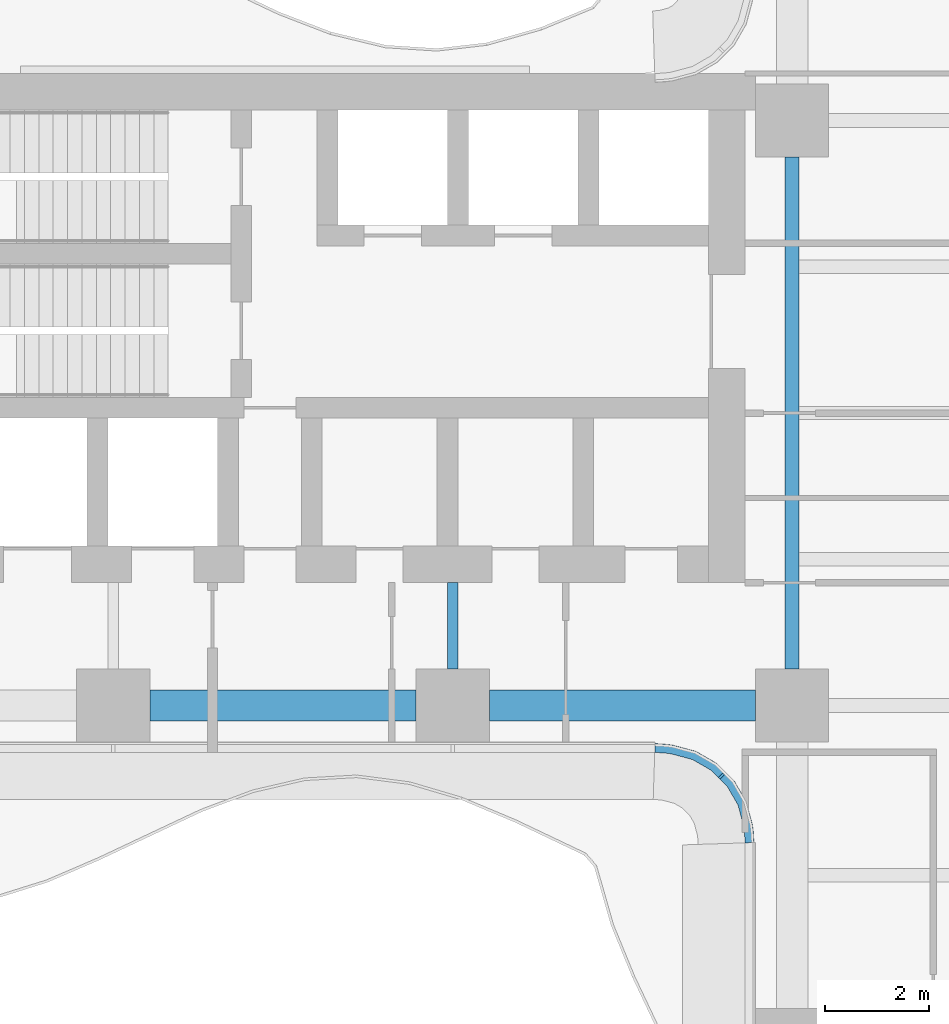
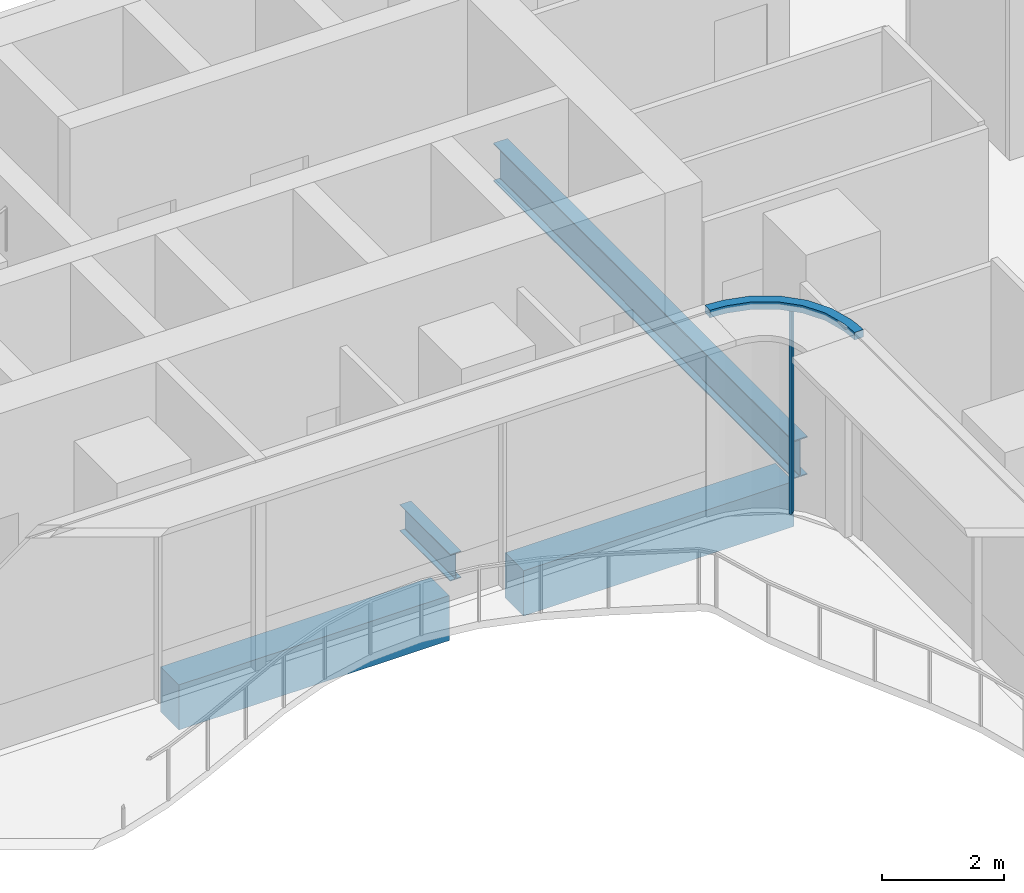
# One storey, part 4 of 22: 4 beams, 2 members, 1 element without a shape of its own.
"""IFC4 building model written with IfcOpenShell, lengths in metres."""

from ifc_helpers import new_model, si_unit, direction, frame, origin, origin_2d, place, context, subcontext, project, spatial, polyline, rectangle, i_section, outline, extrude, source, transform, mapped, material, layer, layer_set, material_profile, profile_set, type_object, element, aggregate, save


model = new_model("IFC4")

# Units and contexts
model_context = context("Model", 3, precision=1e-05, world=origin(), true_north=direction((0.0, 1.0)))
body_context = subcontext(model_context, "Body", "Model", "MODEL_VIEW")
ifc_project = project(units=[si_unit("LENGTHUNIT", "METRE"), si_unit("AREAUNIT", "SQUARE_METRE"), si_unit("VOLUMEUNIT", "CUBIC_METRE"), si_unit("PLANEANGLEUNIT", "RADIAN"), si_unit("MASSUNIT", "GRAM", prefix="KILO")], contexts=[model_context])

# Site, building, storey
site_placement = place(None, origin())
site = spatial("IfcSite", under=ifc_project, at=site_placement, CompositionType="ELEMENT")
building_placement = place(site_placement, origin())
building = spatial("IfcBuilding", under=site, at=building_placement, Name="Trellis Farm Tower", CompositionType="ELEMENT")
storey_placement = place(building_placement, frame((0.0, 0.0, 88.0)))
storey = spatial("IfcBuildingStorey", under=building, at=storey_placement, Name="L18", CompositionType="ELEMENT", Elevation=88.0)

# Beams
ifc_material_1 = material(Name="Concrete C60/75", Category="concrete")
ifc_material_profile_1 = material_profile(ifc_material_1, rectangle(XDim=0.60009765625, YDim=0.89990234375, at=origin_2d()), Name="RC spandrel beam 600x900 C60/75")
ifc_profile_set_1 = profile_set([ifc_material_profile_1], Name="Concrete C60/75")
beam_type_1 = type_object("IfcBeamType", Name="RC spandrel beam 600x900 C60/75", PredefinedType="SPANDREL", material=ifc_profile_set_1)
shared_shape_1 = source(origin(), body_context, "Body", "SweptSolid", [
    extrude(rectangle(XDim=0.60009765625, YDim=0.89990234375, at=origin_2d()), origin(), (0.0, 0.0, 1.0), 5.099853515625),
])
for number, where, z_axis, x_axis, name in (
    (1, (-17.89990234375, -5.60009765625, -0.699951171875), (1.0, 0.0, 0.0), (0.0, 1.0, 0.0), "Girder"),
    (2, (-11.39990234375, -5.60009765625, -0.699951171875), (1.0, 0.0, 0.0), (0.0, 1.0, 0.0), "Girder"),
):
    element("IfcBeam", number, at=place(storey_placement, frame(where, z_axis=z_axis, x_axis=x_axis)), inside=storey, type_object=beam_type_1, Name=name, PredefinedType="SPANDREL", context=body_context, shape_type="MappedRepresentation", body=[
        mapped(shared_shape_1, transform((0.0, 0.0, 0.0))),
    ])
ifc_material_2 = material(Name="Steel S355", Category="steel")
ifc_material_profile_2 = material_profile(ifc_material_2, i_section(OverallWidth=0.2666015625, OverallDepth=0.76220703125, WebThickness=0.014404296875, FlangeThickness=0.021484375, FilletRadius=0.0166015625, at=origin_2d()), Name="UB 762x267x173")
ifc_profile_set_2 = profile_set([ifc_material_profile_2], Name="Steel S355")
beam_type_2 = type_object("IfcBeamType", Name="UB 762x267x173", PredefinedType="BEAM", material=ifc_profile_set_2)
shared_shape_2 = source(origin(), body_context, "Body", "SweptSolid", [
    extrude(i_section(OverallWidth=0.2666015625, OverallDepth=0.76220703125, WebThickness=0.014404296875, FlangeThickness=0.021484375, FilletRadius=0.0166015625, at=origin_2d()), origin(), (0.0, 0.0, 1.0), 9.7998046875),
])
beam_1_placement = place(storey_placement, frame((-5.60009765625, -4.89990234375, -0.631103515625), z_axis=(0.0, 1.0, 0.0), x_axis=(-1.0, 0.0, 0.0)))
element("IfcBeam", 3, at=beam_1_placement, inside=storey, type_object=beam_type_2, Name="Girder", PredefinedType="BEAM", context=body_context, shape_type="MappedRepresentation", body=[
    mapped(shared_shape_2, transform((0.0, 0.0, 0.0))),
])
ifc_material_profile_3 = material_profile(ifc_material_2, i_section(OverallWidth=0.209228515625, OverallDepth=0.533203125, WebThickness=0.010009765625, FlangeThickness=0.015625, FilletRadius=0.0126953125, at=origin_2d()), Name="UB 533x210x92")
ifc_profile_set_3 = profile_set([ifc_material_profile_3], Name="Steel S355")
beam_type_3 = type_object("IfcBeamType", Name="UB 533x210x92", PredefinedType="BEAM", material=ifc_profile_set_3)
shared_shape_3 = source(origin(), body_context, "Body", "SweptSolid", [
    extrude(i_section(OverallWidth=0.209228515625, OverallDepth=0.533203125, WebThickness=0.010009765625, FlangeThickness=0.015625, FilletRadius=0.0126953125, at=origin_2d()), origin(), (0.0, 0.0, 1.0), 1.64990234375),
])
beam_2_placement = place(storey_placement, frame((-12.10009765625, -4.89990234375, -0.5166015625), z_axis=(0.0, 1.0, 0.0), x_axis=(-1.0, 0.0, 0.0)))
element("IfcBeam", 4, at=beam_2_placement, inside=storey, type_object=beam_type_3, Name="Girder", PredefinedType="BEAM", context=body_context, shape_type="MappedRepresentation", body=[
    mapped(shared_shape_3, transform((0.0, 0.0, 0.0))),
])

# Curtain wall, members
ifc_material_3 = material(Name="Aluminium and glass curtain wall", Category="aluminium")
ifc_layer_1 = layer(ifc_material_3, 0.166015625)
ifc_layer_set_1 = layer_set([ifc_layer_1], Name="WINTER GARDEN CURTAIN WALL CW3")
curtain_wall_type = type_object("IfcCurtainWallType", Name="WINTER GARDEN CURTAIN WALL CW3", PredefinedType="NOTDEFINED", material=ifc_layer_set_1)
curtain_wall_placement = place(storey_placement, origin())
curtain_wall = element("IfcCurtainWall", 5, at=curtain_wall_placement, inside=storey, type_object=curtain_wall_type, Name="CW3 001", PredefinedType="NOTDEFINED")
ifc_material_4 = material(Name="Aluminium extrusion 6063-T6", Category="aluminium")
ifc_layer_2 = layer(ifc_material_4, 0.169921875)
ifc_layer_set_2 = layer_set([ifc_layer_2], Name="Aluminium extrusion 6063-T6")
member_type_1 = type_object("IfcMemberType", Name="CW3 TRANSOM 170x150", PredefinedType="USERDEFINED", material=ifc_layer_set_2)
shared_shape_4 = source(origin(), body_context, "Body", "SweptSolid", [
    extrude(outline(polyline([(-8.2314453125, -6.5), (-8.01953125, -6.513916015625), (-7.91552734375, -6.527587890625), (-7.508544921875, -6.63671875), (-7.144287109375, -6.846923828125), (-6.846923828125, -7.144287109375), (-6.63671875, -7.508544921875), (-6.527587890625, -7.91552734375), (-6.513916015625, -8.01953125), (-6.5, -8.2314453125), (-6.330078125, -8.225830078125), (-6.3447265625, -8.0029296875), (-6.360595703125, -7.88232421875), (-6.478271484375, -7.44287109375), (-6.7109375, -7.0400390625), (-7.0400390625, -6.7109375), (-7.44287109375, -6.478271484375), (-7.88232421875, -6.360595703125), (-8.0029296875, -6.3447265625), (-8.225830078125, -6.330078125), (-8.2314453125, -6.5)])), origin(), (0.0, 0.0, 1.0), 0.14990234375),
])
member_1_placement = place(storey_placement, frame((0.0, 0.0, 4.050048828125)))
member_1 = element("IfcMember", 6, at=member_1_placement, type_object=member_type_1, Name="TR3 001", ObjectType="TRANSOM", PredefinedType="USERDEFINED", context=body_context, shape_type="MappedRepresentation", body=[
    mapped(shared_shape_4, transform((0.0, 0.0, 0.0))),
])
ifc_material_profile_4 = material_profile(ifc_material_4, rectangle(XDim=0.050048828125, YDim=0.1201171875, at=origin_2d()), Name="MULLION 50x120")
ifc_profile_set_4 = profile_set([ifc_material_profile_4], Name="Aluminium extrusion 6063-T6")
member_type_2 = type_object("IfcMemberType", Name="CW3 MULLION 50x120", PredefinedType="MULLION", material=ifc_profile_set_4)
shared_shape_5 = source(origin(), body_context, "Body", "SweptSolid", [
    extrude(rectangle(XDim=0.050048828125, YDim=0.1201171875, at=origin_2d()), origin(), (0.0, 0.0, 1.0), 4.050048828125),
])
member_2_placement = place(storey_placement, frame((-6.953125, -6.953125, 0.0), z_axis=(0.0, 0.0, 1.0), x_axis=(0.707106781187, -0.707106781187, 0.0)))
member_2 = element("IfcMember", 7, at=member_2_placement, type_object=member_type_2, Name="MU3 001-01", PredefinedType="MULLION", context=body_context, shape_type="MappedRepresentation", body=[
    mapped(shared_shape_5, transform((0.0, 0.0, 0.0))),
])
aggregate(curtain_wall, [member_2, member_1])

save(model, "model.ifc")
